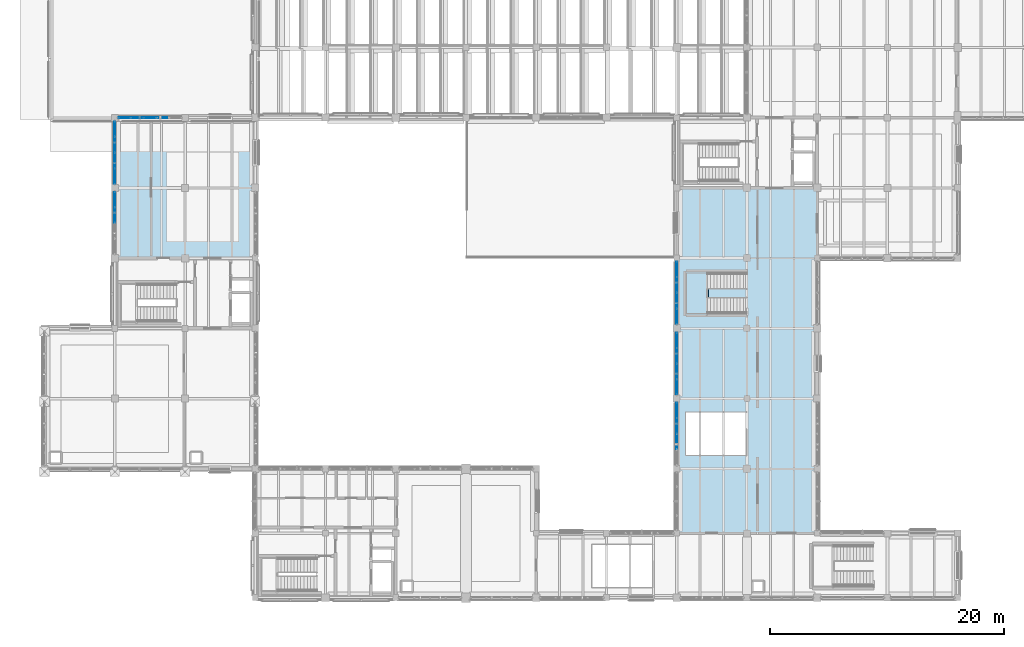
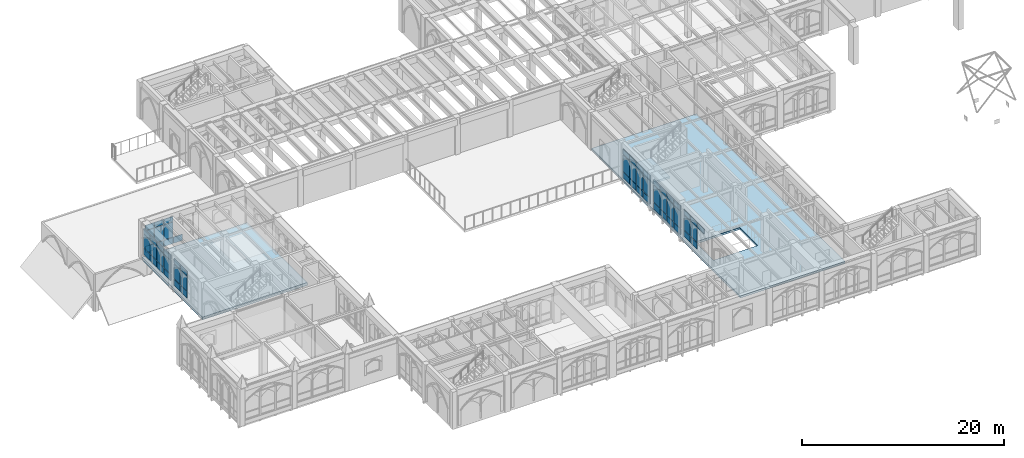
# One storey, part 67 of 127: 59 plates, 3 slabs, 7 elements without a shape of their own.
"""IFC4 building model written with IfcOpenShell, lengths in metres."""

from ifc_helpers import new_model, si_unit, direction, frame, origin, origin_2d, place, context, subcontext, project, spatial, polyline, rectangle, outline, extrude, material, layer, layer_set, type_object, element, aggregate, save


model = new_model("IFC4")

# Units and contexts
model_context = context("Model", 3, precision=1e-05, world=origin(), true_north=direction((0.0, 1.0)))
body_context = subcontext(model_context, "Body", "Model", "MODEL_VIEW")
ifc_project = project(units=[si_unit("LENGTHUNIT", "METRE"), si_unit("AREAUNIT", "SQUARE_METRE"), si_unit("VOLUMEUNIT", "CUBIC_METRE"), si_unit("PLANEANGLEUNIT", "RADIAN"), si_unit("MASSUNIT", "GRAM", prefix="KILO")], contexts=[model_context])

# Site, building, storey
site_placement = place(None, origin())
site = spatial("IfcSite", under=ifc_project, at=site_placement, CompositionType="ELEMENT")
building_placement = place(site_placement, origin())
building = spatial("IfcBuilding", under=site, at=building_placement, Name="Cumevento Cable Car Station", CompositionType="ELEMENT")
storey_placement = place(building_placement, frame((0.0, 0.0, 4.5)))
storey = spatial("IfcBuildingStorey", under=building, at=storey_placement, Name="L02", CompositionType="ELEMENT", Elevation=4.5)

# Slabs
ifc_material_1 = material(Name="Concrete C40/50", Category="concrete")
ifc_layer_1 = layer(ifc_material_1, 0.330078125)
ifc_layer_set_1 = layer_set([ifc_layer_1], Name="Concrete C40/50")
slab_type_1 = type_object("IfcSlabType", Name="Concrete Deck BS-330 330", PredefinedType="BASESLAB", material=ifc_layer_set_1)
slab_1_placement = place(storey_placement, frame((0.0, 0.0, -0.330078125)))
element("IfcSlab", 1, at=slab_1_placement, inside=storey, type_object=slab_type_1, Name="Base Slab BS-330 L02 B_V6b.1", PredefinedType="BASESLAB", context=body_context, shape_type="SweptSolid", body=[
    extrude(outline(polyline([(10.0, 33.0), (22.0, 33.0), (22.0, 45.0), (10.0, 45.0), (10.0, 33.0)])), origin(), (0.0, 0.0, 1.0), 0.330078125),
])
ifc_material_2 = material(Name="Concrete C40/50", Category="concrete")
ifc_layer_2 = layer(ifc_material_2, 0.248046875)
ifc_layer_set_2 = layer_set([ifc_layer_2], Name="Concrete C40/50")
slab_type_2 = type_object("IfcSlabType", Name="Concrete Deck FS-248 248", PredefinedType="FLOOR", material=ifc_layer_set_2)
slab_2_placement = place(storey_placement, frame((0.0, 0.0, -0.248046875)))
element("IfcSlab", 2, at=slab_2_placement, inside=storey, type_object=slab_type_2, Name="Floor Slab FS-248 L02 B_V2b.1", PredefinedType="FLOOR", context=body_context, shape_type="SweptSolid", body=[
    extrude(outline(polyline([(58.0, 9.5), (70.0, 9.5), (70.0, 39.0), (58.0, 39.0), (58.0, 9.5)]), holes=[polyline([(58.800048828125, 16.199951171875), (63.89990234375, 16.199951171875), (63.89990234375, 19.800048828125), (58.800048828125, 19.800048828125), (58.800048828125, 16.199951171875)])]), origin(), (0.0, 0.0, 1.0), 0.248046875),
])

# Curtain wall, plates
ifc_material_3 = material(Name="Anodised Bronze Aluminium AW-6063-T6", Category="aluminium")
ifc_layer_3 = layer(ifc_material_3, 0.196044921875)
ifc_layer_set_3 = layer_set([ifc_layer_3], Name="Anodised Bronze Aluminium AW-6063-T6")
curtain_wall_type_1 = type_object("IfcCurtainWallType", Name="Lancet Curtain Wall CW-07 1290", PredefinedType="NOTDEFINED", material=ifc_layer_set_3)
curtain_wall_1_placement = place(storey_placement, origin())
curtain_wall_1 = element("IfcCurtainWall", 3, at=curtain_wall_1_placement, inside=storey, type_object=curtain_wall_type_1, Name="Lancet Curtain Wall CW-07 L02 #38", PredefinedType="NOTDEFINED")
ifc_material_4 = material(Name="Insulated Bronze Aluminium Spandrel Panel", Category="aluminium")
ifc_layer_4 = layer(ifc_material_4, 0.06591796875)
ifc_layer_set_4 = layer_set([ifc_layer_4], Name="Insulated Bronze Aluminium Spandrel Panel")
plate_type_1 = type_object("IfcPlateType", Name="Spandrel Panel CWP-11 66", PredefinedType="CURTAIN_PANEL", material=ifc_layer_set_4)
plate_1_placement = place(storey_placement, frame((58.0, 17.309326171875, 3.16552734375), z_axis=(0.0, 0.0, 1.0), x_axis=(0.0, 1.0, 0.0)))
plate_1 = element("IfcPlate", 4, at=plate_1_placement, type_object=plate_type_1, Name="CW-07 panel 2.3", PredefinedType="CURTAIN_PANEL", context=body_context, shape_type="SweptSolid", body=[
    extrude(rectangle(XDim=1.291259765625, YDim=0.06591796875, at=origin_2d()), origin(), (0.0, 0.0, 1.0), 0.6025390625),
])
plate_2_placement = place(storey_placement, frame((58.0, 18.66552734375, 0.525146484375), z_axis=(0.0, 0.0, 1.0), x_axis=(0.0, 1.0, 0.0)))
plate_2 = element("IfcPlate", 5, at=plate_2_placement, type_object=plate_type_1, Name="CW-07 panel 3.1", PredefinedType="CURTAIN_PANEL", context=body_context, shape_type="SweptSolid", body=[
    extrude(rectangle(XDim=1.291259765625, YDim=0.06591796875, at=origin_2d()), origin(), (0.0, 0.0, 1.0), 0.75244140625),
])
plate_3_placement = place(storey_placement, frame((58.0, 18.66552734375, 1.34228515625), z_axis=(0.0, 0.0, 1.0), x_axis=(0.0, 1.0, 0.0)))
plate_3 = element("IfcPlate", 6, at=plate_3_placement, type_object=plate_type_1, Name="CW-07 panel 3.2", PredefinedType="CURTAIN_PANEL", context=body_context, shape_type="SweptSolid", body=[
    extrude(rectangle(XDim=1.291259765625, YDim=0.06591796875, at=origin_2d()), origin(), (0.0, 0.0, 1.0), 1.758056640625),
])
plate_4_placement = place(storey_placement, frame((58.0, 18.66552734375, 3.16552734375), z_axis=(0.0, 0.0, 1.0), x_axis=(0.0, 1.0, 0.0)))
plate_4 = element("IfcPlate", 7, at=plate_4_placement, type_object=plate_type_1, Name="CW-07 panel 3.3", PredefinedType="CURTAIN_PANEL", context=body_context, shape_type="SweptSolid", body=[
    extrude(rectangle(XDim=1.291259765625, YDim=0.06591796875, at=origin_2d()), origin(), (0.0, 0.0, 1.0), 0.6025390625),
])
plate_5_placement = place(storey_placement, frame((58.0, 20.005615234375, 0.525146484375), z_axis=(0.0, 0.0, 1.0), x_axis=(0.0, 1.0, 0.0)))
plate_5 = element("IfcPlate", 8, at=plate_5_placement, type_object=plate_type_1, Name="CW-07 panel 4.1", PredefinedType="CURTAIN_PANEL", context=body_context, shape_type="SweptSolid", body=[
    extrude(rectangle(XDim=1.2587890625, YDim=0.06591796875, at=origin_2d()), origin(), (0.0, 0.0, 1.0), 0.75244140625),
])
plate_6_placement = place(storey_placement, frame((58.0, 20.005615234375, 1.34228515625), z_axis=(0.0, 0.0, 1.0), x_axis=(0.0, 1.0, 0.0)))
plate_6 = element("IfcPlate", 9, at=plate_6_placement, type_object=plate_type_1, Name="CW-07 panel 4.2", PredefinedType="CURTAIN_PANEL", context=body_context, shape_type="SweptSolid", body=[
    extrude(rectangle(XDim=1.2587890625, YDim=0.06591796875, at=origin_2d()), origin(), (0.0, 0.0, 1.0), 1.758056640625),
])
plate_7_placement = place(storey_placement, frame((58.0, 20.005615234375, 3.16552734375), z_axis=(0.0, 0.0, 1.0), x_axis=(0.0, 1.0, 0.0)))
plate_7 = element("IfcPlate", 10, at=plate_7_placement, type_object=plate_type_1, Name="CW-07 panel 4.3", PredefinedType="CURTAIN_PANEL", context=body_context, shape_type="SweptSolid", body=[
    extrude(rectangle(XDim=1.2587890625, YDim=0.06591796875, at=origin_2d()), origin(), (0.0, 0.0, 1.0), 0.6025390625),
])
aggregate(curtain_wall_1, [plate_1, plate_2, plate_3, plate_4, plate_5, plate_6, plate_7])

ifc_material_5 = material(Name="Anodised Bronze Aluminium AW-6063-T6", Category="aluminium")
ifc_layer_5 = layer(ifc_material_5, 0.18408203125)
ifc_layer_set_5 = layer_set([ifc_layer_5], Name="Anodised Bronze Aluminium AW-6063-T6")
curtain_wall_type_2 = type_object("IfcCurtainWallType", Name="Lancet Curtain Wall CW-05 1210", PredefinedType="NOTDEFINED", material=ifc_layer_set_5)
curtain_wall_2_placement = place(storey_placement, origin())
curtain_wall_2 = element("IfcCurtainWall", 11, at=curtain_wall_2_placement, inside=storey, type_object=curtain_wall_type_2, Name="Lancet Curtain Wall CW-05 L02 #52", PredefinedType="NOTDEFINED")
plate_8_placement = place(storey_placement, frame((10.836181640625, 45.0, 0.425048828125), z_axis=(0.0, 0.0, 1.0), x_axis=(1.0, 0.0, 0.0)))
plate_8 = element("IfcPlate", 12, at=plate_8_placement, type_object=plate_type_1, Name="CW-05 panel 1.1", PredefinedType="CURTAIN_PANEL", context=body_context, shape_type="SweptSolid", body=[
    extrude(rectangle(XDim=0.992431640625, YDim=0.06591796875, at=origin_2d()), origin(), (0.0, 0.0, 1.0), 0.75244140625),
])
plate_9_placement = place(storey_placement, frame((10.836181640625, 45.0, 1.24267578125), z_axis=(0.0, 0.0, 1.0), x_axis=(1.0, 0.0, 0.0)))
plate_9 = element("IfcPlate", 13, at=plate_9_placement, type_object=plate_type_1, Name="CW-05 panel 1.2", PredefinedType="CURTAIN_PANEL", context=body_context, shape_type="SweptSolid", body=[
    extrude(rectangle(XDim=0.992431640625, YDim=0.06591796875, at=origin_2d()), origin(), (0.0, 0.0, 1.0), 1.802978515625),
])
plate_10_placement = place(storey_placement, frame((10.836181640625, 45.0, 3.110595703125), z_axis=(0.0, 0.0, 1.0), x_axis=(1.0, 0.0, 0.0)))
plate_10 = element("IfcPlate", 14, at=plate_10_placement, type_object=plate_type_1, Name="CW-05 panel 1.3", PredefinedType="CURTAIN_PANEL", context=body_context, shape_type="SweptSolid", body=[
    extrude(rectangle(XDim=0.992431640625, YDim=0.06591796875, at=origin_2d()), origin(), (0.0, 0.0, 1.0), 0.6025390625),
])
plate_11_placement = place(storey_placement, frame((11.909912109375, 45.0, 0.425048828125), z_axis=(0.0, 0.0, 1.0), x_axis=(1.0, 0.0, 0.0)))
plate_11 = element("IfcPlate", 15, at=plate_11_placement, type_object=plate_type_1, Name="CW-05 panel 2.1", PredefinedType="CURTAIN_PANEL", context=body_context, shape_type="SweptSolid", body=[
    extrude(rectangle(XDim=1.02490234375, YDim=0.06591796875, at=origin_2d()), origin(), (0.0, 0.0, 1.0), 0.75244140625),
])
plate_12_placement = place(storey_placement, frame((11.909912109375, 45.0, 1.24267578125), z_axis=(0.0, 0.0, 1.0), x_axis=(1.0, 0.0, 0.0)))
plate_12 = element("IfcPlate", 16, at=plate_12_placement, type_object=plate_type_1, Name="CW-05 panel 2.2", PredefinedType="CURTAIN_PANEL", context=body_context, shape_type="SweptSolid", body=[
    extrude(rectangle(XDim=1.02490234375, YDim=0.06591796875, at=origin_2d()), origin(), (0.0, 0.0, 1.0), 1.802978515625),
])
plate_13_placement = place(storey_placement, frame((11.909912109375, 45.0, 3.110595703125), z_axis=(0.0, 0.0, 1.0), x_axis=(1.0, 0.0, 0.0)))
plate_13 = element("IfcPlate", 17, at=plate_13_placement, type_object=plate_type_1, Name="CW-05 panel 2.3", PredefinedType="CURTAIN_PANEL", context=body_context, shape_type="SweptSolid", body=[
    extrude(rectangle(XDim=1.02490234375, YDim=0.06591796875, at=origin_2d()), origin(), (0.0, 0.0, 1.0), 0.6025390625),
])
plate_14_placement = place(storey_placement, frame((13.0, 45.0, 0.425048828125), z_axis=(0.0, 0.0, 1.0), x_axis=(1.0, 0.0, 0.0)))
plate_14 = element("IfcPlate", 18, at=plate_14_placement, type_object=plate_type_1, Name="CW-05 panel 3.1", PredefinedType="CURTAIN_PANEL", context=body_context, shape_type="SweptSolid", body=[
    extrude(rectangle(XDim=1.02490234375, YDim=0.06591796875, at=origin_2d()), origin(), (0.0, 0.0, 1.0), 0.75244140625),
])
plate_15_placement = place(storey_placement, frame((13.0, 45.0, 1.24267578125), z_axis=(0.0, 0.0, 1.0), x_axis=(1.0, 0.0, 0.0)))
plate_15 = element("IfcPlate", 19, at=plate_15_placement, type_object=plate_type_1, Name="CW-05 panel 3.2", PredefinedType="CURTAIN_PANEL", context=body_context, shape_type="SweptSolid", body=[
    extrude(rectangle(XDim=1.02490234375, YDim=0.06591796875, at=origin_2d()), origin(), (0.0, 0.0, 1.0), 1.802978515625),
])
plate_16_placement = place(storey_placement, frame((13.0, 45.0, 3.110595703125), z_axis=(0.0, 0.0, 1.0), x_axis=(1.0, 0.0, 0.0)))
plate_16 = element("IfcPlate", 20, at=plate_16_placement, type_object=plate_type_1, Name="CW-05 panel 3.3", PredefinedType="CURTAIN_PANEL", context=body_context, shape_type="SweptSolid", body=[
    extrude(rectangle(XDim=1.02490234375, YDim=0.06591796875, at=origin_2d()), origin(), (0.0, 0.0, 1.0), 0.6025390625),
])
plate_17_placement = place(storey_placement, frame((14.090087890625, 45.0, 0.425048828125), z_axis=(0.0, 0.0, 1.0), x_axis=(1.0, 0.0, 0.0)))
plate_17 = element("IfcPlate", 21, at=plate_17_placement, type_object=plate_type_1, Name="CW-05 panel 4.1", PredefinedType="CURTAIN_PANEL", context=body_context, shape_type="SweptSolid", body=[
    extrude(rectangle(XDim=1.02490234375, YDim=0.06591796875, at=origin_2d()), origin(), (0.0, 0.0, 1.0), 0.75244140625),
])
aggregate(curtain_wall_2, [plate_8, plate_9, plate_10, plate_11, plate_12, plate_13, plate_14, plate_15, plate_16, plate_17])

ifc_material_6 = material(Name="Anodised Bronze Aluminium AW-6063-T6", Category="aluminium")
ifc_layer_6 = layer(ifc_material_6, 0.18994140625)
ifc_layer_set_6 = layer_set([ifc_layer_6], Name="Anodised Bronze Aluminium AW-6063-T6")
curtain_wall_type_3 = type_object("IfcCurtainWallType", Name="Lancet Curtain Wall CW-06 1250", PredefinedType="NOTDEFINED", material=ifc_layer_set_6)
curtain_wall_3_placement = place(storey_placement, origin())
curtain_wall_3 = element("IfcCurtainWall", 22, at=curtain_wall_3_placement, inside=storey, type_object=curtain_wall_type_3, Name="Lancet Curtain Wall CW-06 L02 #53", PredefinedType="NOTDEFINED")
ifc_material_7 = material(Name="Insulated Bronze Aluminium Spandrel Panel", Category="aluminium")
ifc_layer_7 = layer(ifc_material_7, 0.072021484375)
ifc_layer_set_7 = layer_set([ifc_layer_7], Name="Insulated Bronze Aluminium Spandrel Panel")
plate_type_2 = type_object("IfcPlateType", Name="Spandrel Panel CWP-12 72", PredefinedType="CURTAIN_PANEL", material=ifc_layer_set_7)
plate_18_placement = place(storey_placement, frame((10.0, 36.684326171875, 0.47509765625), z_axis=(0.0, 0.0, 1.0), x_axis=(0.0, 1.0, 0.0)))
plate_18 = element("IfcPlate", 23, at=plate_18_placement, type_object=plate_type_2, Name="CW-06 panel 3.1", PredefinedType="CURTAIN_PANEL", context=body_context, shape_type="SweptSolid", body=[
    extrude(rectangle(XDim=1.27880859375, YDim=0.072021484375, at=origin_2d()), origin(), (0.0, 0.0, 1.0), 0.75244140625),
])
plate_19_placement = place(storey_placement, frame((10.0, 36.684326171875, 1.29248046875), z_axis=(0.0, 0.0, 1.0), x_axis=(0.0, 1.0, 0.0)))
plate_19 = element("IfcPlate", 24, at=plate_19_placement, type_object=plate_type_2, Name="CW-06 panel 3.2", PredefinedType="CURTAIN_PANEL", context=body_context, shape_type="SweptSolid", body=[
    extrude(rectangle(XDim=1.27880859375, YDim=0.072021484375, at=origin_2d()), origin(), (0.0, 0.0, 1.0), 1.7529296875),
])
plate_20_placement = place(storey_placement, frame((10.0, 36.684326171875, 3.110595703125), z_axis=(0.0, 0.0, 1.0), x_axis=(0.0, 1.0, 0.0)))
plate_20 = element("IfcPlate", 25, at=plate_20_placement, type_object=plate_type_2, Name="CW-06 panel 3.3", PredefinedType="CURTAIN_PANEL", context=body_context, shape_type="SweptSolid", body=[
    extrude(rectangle(XDim=1.27880859375, YDim=0.072021484375, at=origin_2d()), origin(), (0.0, 0.0, 1.0), 0.6025390625),
])
plate_21_placement = place(storey_placement, frame((10.0, 38.011962890625, 0.47509765625), z_axis=(0.0, 0.0, 1.0), x_axis=(0.0, 1.0, 0.0)))
plate_21 = element("IfcPlate", 26, at=plate_21_placement, type_object=plate_type_2, Name="CW-06 panel 4.1", PredefinedType="CURTAIN_PANEL", context=body_context, shape_type="SweptSolid", body=[
    extrude(rectangle(XDim=1.246337890625, YDim=0.072021484375, at=origin_2d()), origin(), (0.0, 0.0, 1.0), 0.75244140625),
])
plate_22_placement = place(storey_placement, frame((10.0, 38.011962890625, 1.29248046875), z_axis=(0.0, 0.0, 1.0), x_axis=(0.0, 1.0, 0.0)))
plate_22 = element("IfcPlate", 27, at=plate_22_placement, type_object=plate_type_2, Name="CW-06 panel 4.2", PredefinedType="CURTAIN_PANEL", context=body_context, shape_type="SweptSolid", body=[
    extrude(rectangle(XDim=1.246337890625, YDim=0.072021484375, at=origin_2d()), origin(), (0.0, 0.0, 1.0), 1.7529296875),
])
plate_23_placement = place(storey_placement, frame((10.0, 38.011962890625, 3.110595703125), z_axis=(0.0, 0.0, 1.0), x_axis=(0.0, 1.0, 0.0)))
plate_23 = element("IfcPlate", 28, at=plate_23_placement, type_object=plate_type_2, Name="CW-06 panel 4.3", PredefinedType="CURTAIN_PANEL", context=body_context, shape_type="SweptSolid", body=[
    extrude(rectangle(XDim=1.246337890625, YDim=0.072021484375, at=origin_2d()), origin(), (0.0, 0.0, 1.0), 0.6025390625),
])
aggregate(curtain_wall_3, [plate_18, plate_19, plate_20, plate_21, plate_22, plate_23])

ifc_material_8 = material(Name="Anodised Bronze Aluminium AW-6063-T6", Category="aluminium")
ifc_layer_8 = layer(ifc_material_8, 0.2080078125)
ifc_layer_set_8 = layer_set([ifc_layer_8], Name="Anodised Bronze Aluminium AW-6063-T6")
curtain_wall_type_4 = type_object("IfcCurtainWallType", Name="Lancet Curtain Wall CW-09 1370", PredefinedType="NOTDEFINED", material=ifc_layer_set_8)
curtain_wall_4_placement = place(storey_placement, origin())
curtain_wall_4 = element("IfcCurtainWall", 29, at=curtain_wall_4_placement, inside=storey, type_object=curtain_wall_type_4, Name="Lancet Curtain Wall CW-09 L02 #40", PredefinedType="NOTDEFINED")
ifc_material_9 = material(Name="Insulated Bronze Aluminium Spandrel Panel", Category="aluminium")
ifc_layer_9 = layer(ifc_material_9, 0.077880859375)
ifc_layer_set_9 = layer_set([ifc_layer_9], Name="Insulated Bronze Aluminium Spandrel Panel")
plate_type_3 = type_object("IfcPlateType", Name="Spandrel Panel CWP-13 78", PredefinedType="CURTAIN_PANEL", material=ifc_layer_set_9)
plate_24_placement = place(storey_placement, frame((58.0, 21.988037109375, 0.22509765625), z_axis=(0.0, 0.0, 1.0), x_axis=(0.0, 1.0, 0.0)))
plate_24 = element("IfcPlate", 30, at=plate_24_placement, type_object=plate_type_3, Name="CW-09 panel 1.1", PredefinedType="CURTAIN_PANEL", context=body_context, shape_type="SweptSolid", body=[
    extrude(rectangle(XDim=1.246337890625, YDim=0.077880859375, at=origin_2d()), origin(), (0.0, 0.0, 1.0), 0.75244140625),
])
plate_25_placement = place(storey_placement, frame((58.0, 21.988037109375, 1.04248046875), z_axis=(0.0, 0.0, 1.0), x_axis=(0.0, 1.0, 0.0)))
plate_25 = element("IfcPlate", 31, at=plate_25_placement, type_object=plate_type_3, Name="CW-09 panel 1.2", PredefinedType="CURTAIN_PANEL", context=body_context, shape_type="SweptSolid", body=[
    extrude(rectangle(XDim=1.246337890625, YDim=0.077880859375, at=origin_2d()), origin(), (0.0, 0.0, 1.0), 2.05810546875),
])
plate_26_placement = place(storey_placement, frame((58.0, 21.988037109375, 3.16552734375), z_axis=(0.0, 0.0, 1.0), x_axis=(0.0, 1.0, 0.0)))
plate_26 = element("IfcPlate", 32, at=plate_26_placement, type_object=plate_type_3, Name="CW-09 panel 1.3", PredefinedType="CURTAIN_PANEL", context=body_context, shape_type="SweptSolid", body=[
    extrude(rectangle(XDim=1.246337890625, YDim=0.077880859375, at=origin_2d()), origin(), (0.0, 0.0, 1.0), 0.6025390625),
])
plate_27_placement = place(storey_placement, frame((58.0, 23.315673828125, 0.22509765625), z_axis=(0.0, 0.0, 1.0), x_axis=(0.0, 1.0, 0.0)))
plate_27 = element("IfcPlate", 33, at=plate_27_placement, type_object=plate_type_3, Name="CW-09 panel 2.1", PredefinedType="CURTAIN_PANEL", context=body_context, shape_type="SweptSolid", body=[
    extrude(rectangle(XDim=1.27880859375, YDim=0.077880859375, at=origin_2d()), origin(), (0.0, 0.0, 1.0), 0.75244140625),
])
plate_28_placement = place(storey_placement, frame((58.0, 23.315673828125, 1.04248046875), z_axis=(0.0, 0.0, 1.0), x_axis=(0.0, 1.0, 0.0)))
plate_28 = element("IfcPlate", 34, at=plate_28_placement, type_object=plate_type_3, Name="CW-09 panel 2.2", PredefinedType="CURTAIN_PANEL", context=body_context, shape_type="SweptSolid", body=[
    extrude(rectangle(XDim=1.27880859375, YDim=0.077880859375, at=origin_2d()), origin(), (0.0, 0.0, 1.0), 2.05810546875),
])
plate_29_placement = place(storey_placement, frame((58.0, 23.315673828125, 3.16552734375), z_axis=(0.0, 0.0, 1.0), x_axis=(0.0, 1.0, 0.0)))
plate_29 = element("IfcPlate", 35, at=plate_29_placement, type_object=plate_type_3, Name="CW-09 panel 2.3", PredefinedType="CURTAIN_PANEL", context=body_context, shape_type="SweptSolid", body=[
    extrude(rectangle(XDim=1.27880859375, YDim=0.077880859375, at=origin_2d()), origin(), (0.0, 0.0, 1.0), 0.6025390625),
])
plate_30_placement = place(storey_placement, frame((58.0, 24.659423828125, 0.22509765625), z_axis=(0.0, 0.0, 1.0), x_axis=(0.0, 1.0, 0.0)))
plate_30 = element("IfcPlate", 36, at=plate_30_placement, type_object=plate_type_3, Name="CW-09 panel 3.1", PredefinedType="CURTAIN_PANEL", context=body_context, shape_type="SweptSolid", body=[
    extrude(rectangle(XDim=1.27880859375, YDim=0.077880859375, at=origin_2d()), origin(), (0.0, 0.0, 1.0), 0.75244140625),
])
plate_31_placement = place(storey_placement, frame((58.0, 24.659423828125, 1.04248046875), z_axis=(0.0, 0.0, 1.0), x_axis=(0.0, 1.0, 0.0)))
plate_31 = element("IfcPlate", 37, at=plate_31_placement, type_object=plate_type_3, Name="CW-09 panel 3.2", PredefinedType="CURTAIN_PANEL", context=body_context, shape_type="SweptSolid", body=[
    extrude(rectangle(XDim=1.27880859375, YDim=0.077880859375, at=origin_2d()), origin(), (0.0, 0.0, 1.0), 2.05810546875),
])
plate_32_placement = place(storey_placement, frame((58.0, 24.659423828125, 3.16552734375), z_axis=(0.0, 0.0, 1.0), x_axis=(0.0, 1.0, 0.0)))
plate_32 = element("IfcPlate", 38, at=plate_32_placement, type_object=plate_type_3, Name="CW-09 panel 3.3", PredefinedType="CURTAIN_PANEL", context=body_context, shape_type="SweptSolid", body=[
    extrude(rectangle(XDim=1.27880859375, YDim=0.077880859375, at=origin_2d()), origin(), (0.0, 0.0, 1.0), 0.6025390625),
])
plate_33_placement = place(storey_placement, frame((58.0, 25.98681640625, 0.22509765625), z_axis=(0.0, 0.0, 1.0), x_axis=(0.0, 1.0, 0.0)))
plate_33 = element("IfcPlate", 39, at=plate_33_placement, type_object=plate_type_3, Name="CW-09 panel 4.1", PredefinedType="CURTAIN_PANEL", context=body_context, shape_type="SweptSolid", body=[
    extrude(rectangle(XDim=1.246337890625, YDim=0.077880859375, at=origin_2d()), origin(), (0.0, 0.0, 1.0), 0.75244140625),
])
plate_34_placement = place(storey_placement, frame((58.0, 25.98681640625, 1.04248046875), z_axis=(0.0, 0.0, 1.0), x_axis=(0.0, 1.0, 0.0)))
plate_34 = element("IfcPlate", 40, at=plate_34_placement, type_object=plate_type_3, Name="CW-09 panel 4.2", PredefinedType="CURTAIN_PANEL", context=body_context, shape_type="SweptSolid", body=[
    extrude(rectangle(XDim=1.246337890625, YDim=0.077880859375, at=origin_2d()), origin(), (0.0, 0.0, 1.0), 2.05810546875),
])
plate_35_placement = place(storey_placement, frame((58.0, 25.98681640625, 3.16552734375), z_axis=(0.0, 0.0, 1.0), x_axis=(0.0, 1.0, 0.0)))
plate_35 = element("IfcPlate", 41, at=plate_35_placement, type_object=plate_type_3, Name="CW-09 panel 4.3", PredefinedType="CURTAIN_PANEL", context=body_context, shape_type="SweptSolid", body=[
    extrude(rectangle(XDim=1.246337890625, YDim=0.077880859375, at=origin_2d()), origin(), (0.0, 0.0, 1.0), 0.6025390625),
])
aggregate(curtain_wall_4, [plate_24, plate_25, plate_26, plate_27, plate_28, plate_29, plate_30, plate_31, plate_32, plate_33, plate_34, plate_35])

ifc_material_10 = material(Name="Anodised Bronze Aluminium AW-6063-T6", Category="aluminium")
ifc_layer_10 = layer(ifc_material_10, 0.214111328125)
ifc_layer_set_10 = layer_set([ifc_layer_10], Name="Anodised Bronze Aluminium AW-6063-T6")
curtain_wall_type_5 = type_object("IfcCurtainWallType", Name="Lancet Curtain Wall CW-10 1410", PredefinedType="NOTDEFINED", material=ifc_layer_set_10)
curtain_wall_5_placement = place(storey_placement, origin())
curtain_wall_5 = element("IfcCurtainWall", 42, at=curtain_wall_5_placement, inside=storey, type_object=curtain_wall_type_5, Name="Lancet Curtain Wall CW-10 L02 #41", PredefinedType="NOTDEFINED")
ifc_material_11 = material(Name="Insulated Bronze Aluminium Spandrel Panel", Category="aluminium")
ifc_layer_11 = layer(ifc_material_11, 0.0849609375)
ifc_layer_set_11 = layer_set([ifc_layer_11], Name="Insulated Bronze Aluminium Spandrel Panel")
plate_type_4 = type_object("IfcPlateType", Name="Spandrel Panel CWP-14 85", PredefinedType="CURTAIN_PANEL", material=ifc_layer_set_11)
plate_36_placement = place(storey_placement, frame((58.0, 28.019287109375, 0.275146484375), z_axis=(0.0, 0.0, 1.0), x_axis=(0.0, 1.0, 0.0)))
plate_36 = element("IfcPlate", 43, at=plate_36_placement, type_object=plate_type_4, Name="CW-10 panel 1.1", PredefinedType="CURTAIN_PANEL", context=body_context, shape_type="SweptSolid", body=[
    extrude(rectangle(XDim=1.2587890625, YDim=0.0849609375, at=origin_2d()), origin(), (0.0, 0.0, 1.0), 0.75244140625),
])
plate_37_placement = place(storey_placement, frame((58.0, 28.019287109375, 1.09228515625), z_axis=(0.0, 0.0, 1.0), x_axis=(0.0, 1.0, 0.0)))
plate_37 = element("IfcPlate", 44, at=plate_37_placement, type_object=plate_type_4, Name="CW-10 panel 1.2", PredefinedType="CURTAIN_PANEL", context=body_context, shape_type="SweptSolid", body=[
    extrude(rectangle(XDim=1.2587890625, YDim=0.0849609375, at=origin_2d()), origin(), (0.0, 0.0, 1.0), 2.008056640625),
])
plate_38_placement = place(storey_placement, frame((58.0, 28.019287109375, 3.16552734375), z_axis=(0.0, 0.0, 1.0), x_axis=(0.0, 1.0, 0.0)))
plate_38 = element("IfcPlate", 45, at=plate_38_placement, type_object=plate_type_4, Name="CW-10 panel 1.3", PredefinedType="CURTAIN_PANEL", context=body_context, shape_type="SweptSolid", body=[
    extrude(rectangle(XDim=1.2587890625, YDim=0.0849609375, at=origin_2d()), origin(), (0.0, 0.0, 1.0), 0.6025390625),
])
plate_39_placement = place(storey_placement, frame((58.0, 29.359375, 0.275146484375), z_axis=(0.0, 0.0, 1.0), x_axis=(0.0, 1.0, 0.0)))
plate_39 = element("IfcPlate", 46, at=plate_39_placement, type_object=plate_type_4, Name="CW-10 panel 2.1", PredefinedType="CURTAIN_PANEL", context=body_context, shape_type="SweptSolid", body=[
    extrude(rectangle(XDim=1.291259765625, YDim=0.0849609375, at=origin_2d()), origin(), (0.0, 0.0, 1.0), 0.75244140625),
])
plate_40_placement = place(storey_placement, frame((58.0, 29.359375, 1.09228515625), z_axis=(0.0, 0.0, 1.0), x_axis=(0.0, 1.0, 0.0)))
plate_40 = element("IfcPlate", 47, at=plate_40_placement, type_object=plate_type_4, Name="CW-10 panel 2.2", PredefinedType="CURTAIN_PANEL", context=body_context, shape_type="SweptSolid", body=[
    extrude(rectangle(XDim=1.291259765625, YDim=0.0849609375, at=origin_2d()), origin(), (0.0, 0.0, 1.0), 2.008056640625),
])
plate_41_placement = place(storey_placement, frame((58.0, 29.359375, 3.16552734375), z_axis=(0.0, 0.0, 1.0), x_axis=(0.0, 1.0, 0.0)))
plate_41 = element("IfcPlate", 48, at=plate_41_placement, type_object=plate_type_4, Name="CW-10 panel 2.3", PredefinedType="CURTAIN_PANEL", context=body_context, shape_type="SweptSolid", body=[
    extrude(rectangle(XDim=1.291259765625, YDim=0.0849609375, at=origin_2d()), origin(), (0.0, 0.0, 1.0), 0.6025390625),
])
plate_42_placement = place(storey_placement, frame((58.0, 30.715576171875, 0.275146484375), z_axis=(0.0, 0.0, 1.0), x_axis=(0.0, 1.0, 0.0)))
plate_42 = element("IfcPlate", 49, at=plate_42_placement, type_object=plate_type_4, Name="CW-10 panel 3.1", PredefinedType="CURTAIN_PANEL", context=body_context, shape_type="SweptSolid", body=[
    extrude(rectangle(XDim=1.291259765625, YDim=0.0849609375, at=origin_2d()), origin(), (0.0, 0.0, 1.0), 0.75244140625),
])
plate_43_placement = place(storey_placement, frame((58.0, 30.715576171875, 1.09228515625), z_axis=(0.0, 0.0, 1.0), x_axis=(0.0, 1.0, 0.0)))
plate_43 = element("IfcPlate", 50, at=plate_43_placement, type_object=plate_type_4, Name="CW-10 panel 3.2", PredefinedType="CURTAIN_PANEL", context=body_context, shape_type="SweptSolid", body=[
    extrude(rectangle(XDim=1.291259765625, YDim=0.0849609375, at=origin_2d()), origin(), (0.0, 0.0, 1.0), 2.008056640625),
])
plate_44_placement = place(storey_placement, frame((58.0, 30.715576171875, 3.16552734375), z_axis=(0.0, 0.0, 1.0), x_axis=(0.0, 1.0, 0.0)))
plate_44 = element("IfcPlate", 51, at=plate_44_placement, type_object=plate_type_4, Name="CW-10 panel 3.3", PredefinedType="CURTAIN_PANEL", context=body_context, shape_type="SweptSolid", body=[
    extrude(rectangle(XDim=1.291259765625, YDim=0.0849609375, at=origin_2d()), origin(), (0.0, 0.0, 1.0), 0.6025390625),
])
plate_45_placement = place(storey_placement, frame((58.0, 32.0556640625, 0.275146484375), z_axis=(0.0, 0.0, 1.0), x_axis=(0.0, 1.0, 0.0)))
plate_45 = element("IfcPlate", 52, at=plate_45_placement, type_object=plate_type_4, Name="CW-10 panel 4.1", PredefinedType="CURTAIN_PANEL", context=body_context, shape_type="SweptSolid", body=[
    extrude(rectangle(XDim=1.2587890625, YDim=0.0849609375, at=origin_2d()), origin(), (0.0, 0.0, 1.0), 0.75244140625),
])
plate_46_placement = place(storey_placement, frame((58.0, 32.0556640625, 1.09228515625), z_axis=(0.0, 0.0, 1.0), x_axis=(0.0, 1.0, 0.0)))
plate_46 = element("IfcPlate", 53, at=plate_46_placement, type_object=plate_type_4, Name="CW-10 panel 4.2", PredefinedType="CURTAIN_PANEL", context=body_context, shape_type="SweptSolid", body=[
    extrude(rectangle(XDim=1.2587890625, YDim=0.0849609375, at=origin_2d()), origin(), (0.0, 0.0, 1.0), 2.008056640625),
])
plate_47_placement = place(storey_placement, frame((58.0, 32.0556640625, 3.16552734375), z_axis=(0.0, 0.0, 1.0), x_axis=(0.0, 1.0, 0.0)))
plate_47 = element("IfcPlate", 54, at=plate_47_placement, type_object=plate_type_4, Name="CW-10 panel 4.3", PredefinedType="CURTAIN_PANEL", context=body_context, shape_type="SweptSolid", body=[
    extrude(rectangle(XDim=1.2587890625, YDim=0.0849609375, at=origin_2d()), origin(), (0.0, 0.0, 1.0), 0.6025390625),
])
aggregate(curtain_wall_5, [plate_36, plate_37, plate_38, plate_39, plate_40, plate_41, plate_42, plate_43, plate_44, plate_45, plate_46, plate_47])

ifc_material_12 = material(Name="Anodised Bronze Aluminium AW-6063-T6", Category="aluminium")
ifc_layer_12 = layer(ifc_material_12, 0.201904296875)
ifc_layer_set_12 = layer_set([ifc_layer_12], Name="Anodised Bronze Aluminium AW-6063-T6")
curtain_wall_type_6 = type_object("IfcCurtainWallType", Name="Lancet Curtain Wall CW-08 1330", PredefinedType="NOTDEFINED", material=ifc_layer_set_12)
curtain_wall_6_placement = place(storey_placement, origin())
curtain_wall_6 = element("IfcCurtainWall", 55, at=curtain_wall_6_placement, inside=storey, type_object=curtain_wall_type_6, Name="Lancet Curtain Wall CW-08 L02 #55", PredefinedType="NOTDEFINED")
plate_48_placement = place(storey_placement, frame((10.0, 39.994384765625, 0.5849609375), z_axis=(0.0, 0.0, 1.0), x_axis=(0.0, 1.0, 0.0)))
plate_48 = element("IfcPlate", 56, at=plate_48_placement, type_object=plate_type_4, Name="CW-08 panel 1.1", PredefinedType="CURTAIN_PANEL", context=body_context, shape_type="SweptSolid", body=[
    extrude(rectangle(XDim=1.2587890625, YDim=0.0849609375, at=origin_2d()), origin(), (0.0, 0.0, 1.0), 0.75244140625),
])
plate_49_placement = place(storey_placement, frame((10.0, 39.994384765625, 1.402587890625), z_axis=(0.0, 0.0, 1.0), x_axis=(0.0, 1.0, 0.0)))
plate_49 = element("IfcPlate", 57, at=plate_49_placement, type_object=plate_type_4, Name="CW-08 panel 1.2", PredefinedType="CURTAIN_PANEL", context=body_context, shape_type="SweptSolid", body=[
    extrude(rectangle(XDim=1.2587890625, YDim=0.0849609375, at=origin_2d()), origin(), (0.0, 0.0, 1.0), 1.64306640625),
])
plate_50_placement = place(storey_placement, frame((10.0, 39.994384765625, 3.110595703125), z_axis=(0.0, 0.0, 1.0), x_axis=(0.0, 1.0, 0.0)))
plate_50 = element("IfcPlate", 58, at=plate_50_placement, type_object=plate_type_4, Name="CW-08 panel 1.3", PredefinedType="CURTAIN_PANEL", context=body_context, shape_type="SweptSolid", body=[
    extrude(rectangle(XDim=1.2587890625, YDim=0.0849609375, at=origin_2d()), origin(), (0.0, 0.0, 1.0), 0.6025390625),
])
plate_51_placement = place(storey_placement, frame((10.0, 41.33447265625, 0.5849609375), z_axis=(0.0, 0.0, 1.0), x_axis=(0.0, 1.0, 0.0)))
plate_51 = element("IfcPlate", 59, at=plate_51_placement, type_object=plate_type_4, Name="CW-08 panel 2.1", PredefinedType="CURTAIN_PANEL", context=body_context, shape_type="SweptSolid", body=[
    extrude(rectangle(XDim=1.291259765625, YDim=0.0849609375, at=origin_2d()), origin(), (0.0, 0.0, 1.0), 0.75244140625),
])
plate_52_placement = place(storey_placement, frame((10.0, 41.33447265625, 1.402587890625), z_axis=(0.0, 0.0, 1.0), x_axis=(0.0, 1.0, 0.0)))
plate_52 = element("IfcPlate", 60, at=plate_52_placement, type_object=plate_type_4, Name="CW-08 panel 2.2", PredefinedType="CURTAIN_PANEL", context=body_context, shape_type="SweptSolid", body=[
    extrude(rectangle(XDim=1.291259765625, YDim=0.0849609375, at=origin_2d()), origin(), (0.0, 0.0, 1.0), 1.64306640625),
])
plate_53_placement = place(storey_placement, frame((10.0, 41.33447265625, 3.110595703125), z_axis=(0.0, 0.0, 1.0), x_axis=(0.0, 1.0, 0.0)))
plate_53 = element("IfcPlate", 61, at=plate_53_placement, type_object=plate_type_4, Name="CW-08 panel 2.3", PredefinedType="CURTAIN_PANEL", context=body_context, shape_type="SweptSolid", body=[
    extrude(rectangle(XDim=1.291259765625, YDim=0.0849609375, at=origin_2d()), origin(), (0.0, 0.0, 1.0), 0.6025390625),
])
plate_54_placement = place(storey_placement, frame((10.0, 42.690673828125, 0.5849609375), z_axis=(0.0, 0.0, 1.0), x_axis=(0.0, 1.0, 0.0)))
plate_54 = element("IfcPlate", 62, at=plate_54_placement, type_object=plate_type_4, Name="CW-08 panel 3.1", PredefinedType="CURTAIN_PANEL", context=body_context, shape_type="SweptSolid", body=[
    extrude(rectangle(XDim=1.291259765625, YDim=0.0849609375, at=origin_2d()), origin(), (0.0, 0.0, 1.0), 0.75244140625),
])
plate_55_placement = place(storey_placement, frame((10.0, 42.690673828125, 1.402587890625), z_axis=(0.0, 0.0, 1.0), x_axis=(0.0, 1.0, 0.0)))
plate_55 = element("IfcPlate", 63, at=plate_55_placement, type_object=plate_type_4, Name="CW-08 panel 3.2", PredefinedType="CURTAIN_PANEL", context=body_context, shape_type="SweptSolid", body=[
    extrude(rectangle(XDim=1.291259765625, YDim=0.0849609375, at=origin_2d()), origin(), (0.0, 0.0, 1.0), 1.64306640625),
])
plate_56_placement = place(storey_placement, frame((10.0, 42.690673828125, 3.110595703125), z_axis=(0.0, 0.0, 1.0), x_axis=(0.0, 1.0, 0.0)))
plate_56 = element("IfcPlate", 64, at=plate_56_placement, type_object=plate_type_4, Name="CW-08 panel 3.3", PredefinedType="CURTAIN_PANEL", context=body_context, shape_type="SweptSolid", body=[
    extrude(rectangle(XDim=1.291259765625, YDim=0.0849609375, at=origin_2d()), origin(), (0.0, 0.0, 1.0), 0.6025390625),
])
plate_57_placement = place(storey_placement, frame((10.0, 44.030517578125, 0.5849609375), z_axis=(0.0, 0.0, 1.0), x_axis=(0.0, 1.0, 0.0)))
plate_57 = element("IfcPlate", 65, at=plate_57_placement, type_object=plate_type_4, Name="CW-08 panel 4.1", PredefinedType="CURTAIN_PANEL", context=body_context, shape_type="SweptSolid", body=[
    extrude(rectangle(XDim=1.2587890625, YDim=0.0849609375, at=origin_2d()), origin(), (0.0, 0.0, 1.0), 0.75244140625),
])
plate_58_placement = place(storey_placement, frame((10.0, 44.030517578125, 1.402587890625), z_axis=(0.0, 0.0, 1.0), x_axis=(0.0, 1.0, 0.0)))
plate_58 = element("IfcPlate", 66, at=plate_58_placement, type_object=plate_type_4, Name="CW-08 panel 4.2", PredefinedType="CURTAIN_PANEL", context=body_context, shape_type="SweptSolid", body=[
    extrude(rectangle(XDim=1.2587890625, YDim=0.0849609375, at=origin_2d()), origin(), (0.0, 0.0, 1.0), 1.64306640625),
])
plate_59_placement = place(storey_placement, frame((10.0, 44.030517578125, 3.110595703125), z_axis=(0.0, 0.0, 1.0), x_axis=(0.0, 1.0, 0.0)))
plate_59 = element("IfcPlate", 67, at=plate_59_placement, type_object=plate_type_4, Name="CW-08 panel 4.3", PredefinedType="CURTAIN_PANEL", context=body_context, shape_type="SweptSolid", body=[
    extrude(rectangle(XDim=1.2587890625, YDim=0.0849609375, at=origin_2d()), origin(), (0.0, 0.0, 1.0), 0.6025390625),
])
aggregate(curtain_wall_6, [plate_48, plate_49, plate_50, plate_51, plate_52, plate_53, plate_54, plate_55, plate_56, plate_57, plate_58, plate_59])

# Stair, slab
ifc_material_13 = material(Name="Concrete C40/50", Category="concrete")
stair_type = type_object("IfcStairType", Name="Half-Turn Stair ST-T07 1440", PredefinedType="HALF_TURN_STAIR", material=ifc_material_13)
stair_placement = place(storey_placement, origin())
stair = element("IfcStair", 68, at=stair_placement, inside=storey, type_object=stair_type, Name="Cloister to Pre-Boarding Stair L02-L03", PredefinedType="HALF_TURN_STAIR")
ifc_material_14 = material(Name="Concrete C40/50", Category="concrete")
ifc_layer_13 = layer(ifc_material_14, 0.23095703125)
ifc_layer_set_13 = layer_set([ifc_layer_13], Name="Concrete C40/50")
slab_type_3 = type_object("IfcSlabType", Name="Stair Landing STL-T07 231", PredefinedType="LANDING", material=ifc_layer_set_13)
slab_3_placement = place(storey_placement, frame((0.0, 0.0, 2.01904296875)))
slab_3 = element("IfcSlab", 69, at=slab_3_placement, type_object=slab_type_3, Name="ST-10 Half-Landing", PredefinedType="LANDING", context=body_context, shape_type="SweptSolid", body=[
    extrude(outline(polyline([(58.719970703125, 28.1201171875), (60.699951171875, 28.1201171875), (60.699951171875, 31.8798828125), (58.719970703125, 31.8798828125), (58.719970703125, 28.1201171875)])), origin(), (0.0, 0.0, 1.0), 0.23095703125),
])
aggregate(stair, [slab_3])

save(model, "model.ifc")
